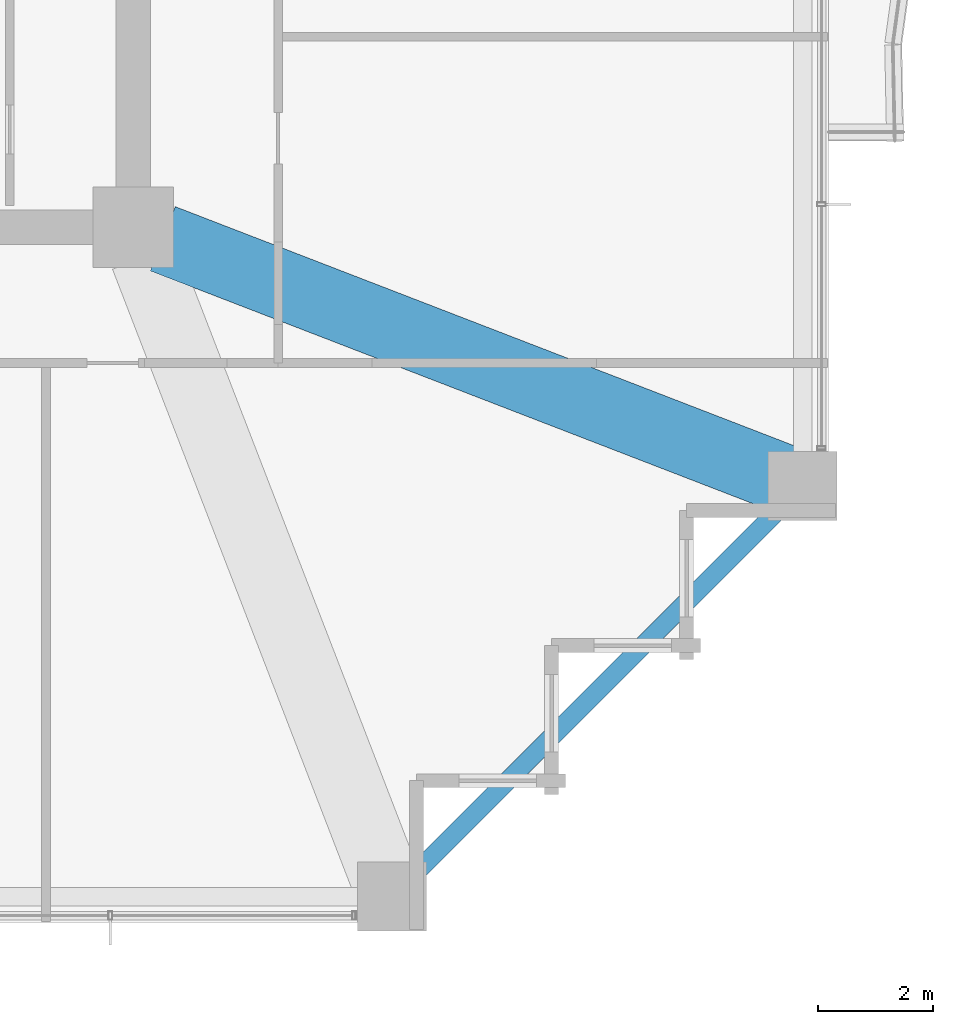
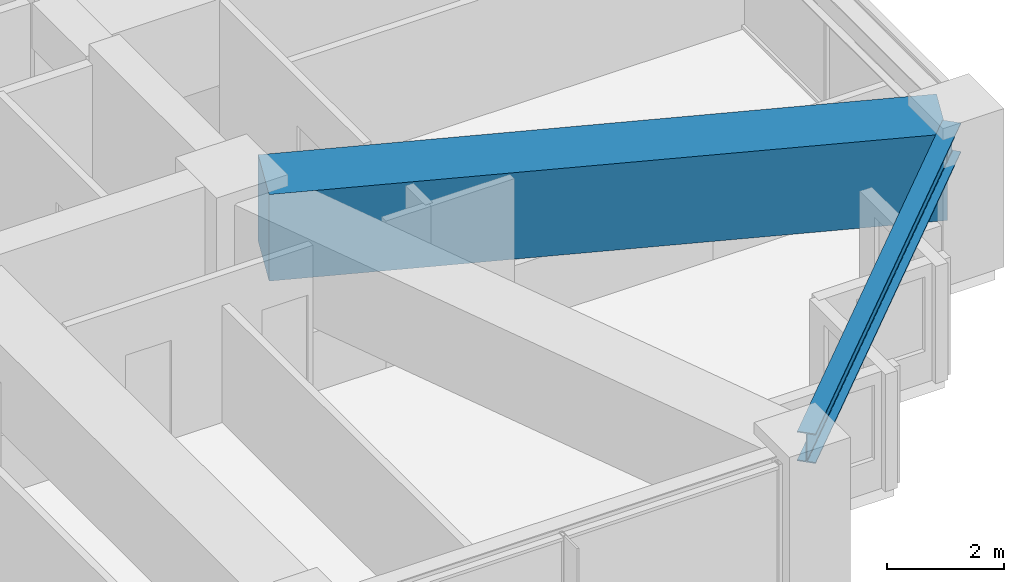
# One storey, part 13 of 39: 2 beams.
"""IFC4 building model written with IfcOpenShell, lengths in metres."""

from ifc_helpers import new_model, si_unit, direction, frame, origin, origin_2d, place, context, subcontext, project, spatial, rectangle, i_section, extrude, material, material_profile, profile_set, type_object, element, save


model = new_model("IFC4")

# Units and contexts
model_context = context("Model", 3, precision=1e-05, world=origin(), true_north=direction((0.0, 1.0)))
body_context = subcontext(model_context, "Body", "Model", "MODEL_VIEW")
ifc_project = project(units=[si_unit("LENGTHUNIT", "METRE"), si_unit("AREAUNIT", "SQUARE_METRE"), si_unit("VOLUMEUNIT", "CUBIC_METRE"), si_unit("PLANEANGLEUNIT", "RADIAN"), si_unit("MASSUNIT", "GRAM", prefix="KILO")], contexts=[model_context])

# Site, building, storey
site_placement = place(None, origin())
site = spatial("IfcSite", under=ifc_project, at=site_placement, CompositionType="ELEMENT")
building_placement = place(site_placement, origin())
building = spatial("IfcBuilding", under=site, at=building_placement, Name="Kolvaren Belvedere", CompositionType="ELEMENT")
storey_placement = place(building_placement, frame((0.0, 0.0, 40.300048828125)))
storey = spatial("IfcBuildingStorey", under=building, at=storey_placement, Name="L11", CompositionType="ELEMENT", Elevation=40.300048828125)

# Beams
ifc_material_1 = material(Name="Structural steel ASTM A992 Grade 50", Category="steel")
ifc_material_profile_1 = material_profile(ifc_material_1, i_section(OverallWidth=0.324951171875, OverallDepth=0.615966796875, WebThickness=0.013916015625, FlangeThickness=0.021484375, FilletRadius=0.02001953125, at=origin_2d()), Name="W24X117")
ifc_profile_set_1 = profile_set([ifc_material_profile_1], Name="Structural steel ASTM A992 Grade 50")
beam_type_1 = type_object("IfcBeamType", Name="BM-SPAN-W24X117", PredefinedType="SPANDREL", material=ifc_profile_set_1)
beam_1_placement = place(storey_placement, frame((14.5908203125, -21.359130859375, 2.751953125), z_axis=(0.707106781187, 0.707106781187, 0.0), x_axis=(-0.707106781187, 0.707106781187, 0.0)))
element("IfcBeam", 1, at=beam_1_placement, inside=storey, type_object=beam_type_1, Name="L11 Perimeter Spandrel S4-E1", PredefinedType="SPANDREL", context=body_context, shape_type="SweptSolid", body=[
    extrude(i_section(OverallWidth=0.324951171875, OverallDepth=0.615966796875, WebThickness=0.013916015625, FlangeThickness=0.021484375, FilletRadius=0.02001953125, at=origin_2d()), origin(), (0.0, 0.0, 1.0), 9.57177734375),
])
ifc_material_2 = material(Name="Concrete C50/60", Category="concrete")
ifc_material_profile_2 = material_profile(ifc_material_2, rectangle(XDim=1.199951171875, YDim=1.800048828125, at=origin_2d()), Name="RC 1200X1800")
ifc_profile_set_2 = profile_set([ifc_material_profile_2], Name="Concrete C50/60")
beam_type_2 = type_object("IfcBeamType", Name="BM-TG-1800", PredefinedType="BEAM", material=ifc_profile_set_2)
beam_2_placement = place(storey_placement, frame((10.4130859375, -10.09814453125, 2.159912109375), z_axis=(0.932829382313, -0.360318391835, 0.0), x_axis=(0.360318391835, 0.932829382313, 0.0)))
element("IfcBeam", 2, at=beam_2_placement, inside=storey, type_object=beam_type_2, Name="L11 Corner Core-to-Perimeter Girder CC2-E1", PredefinedType="BEAM", context=body_context, shape_type="SweptSolid", body=[
    extrude(rectangle(XDim=1.199951171875, YDim=1.800048828125, at=origin_2d()), origin(), (0.0, 0.0, 1.0), 11.698974609375),
])

save(model, "model.ifc")
